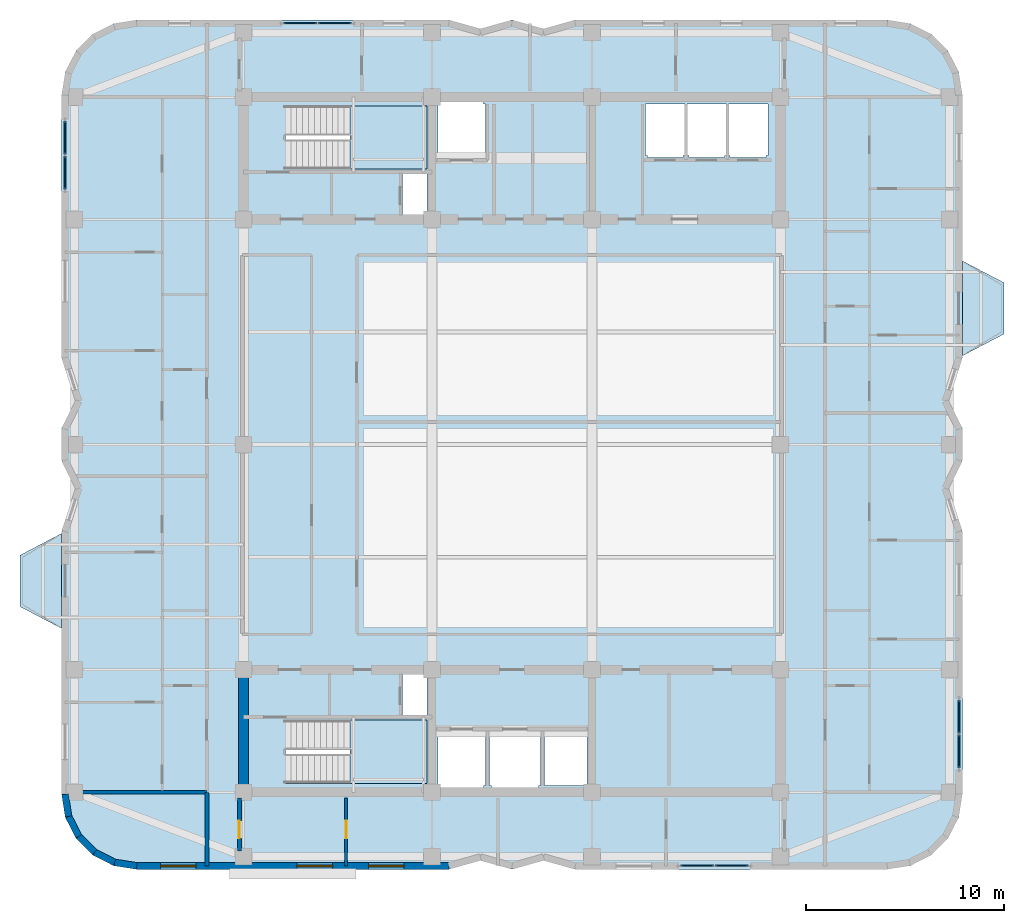
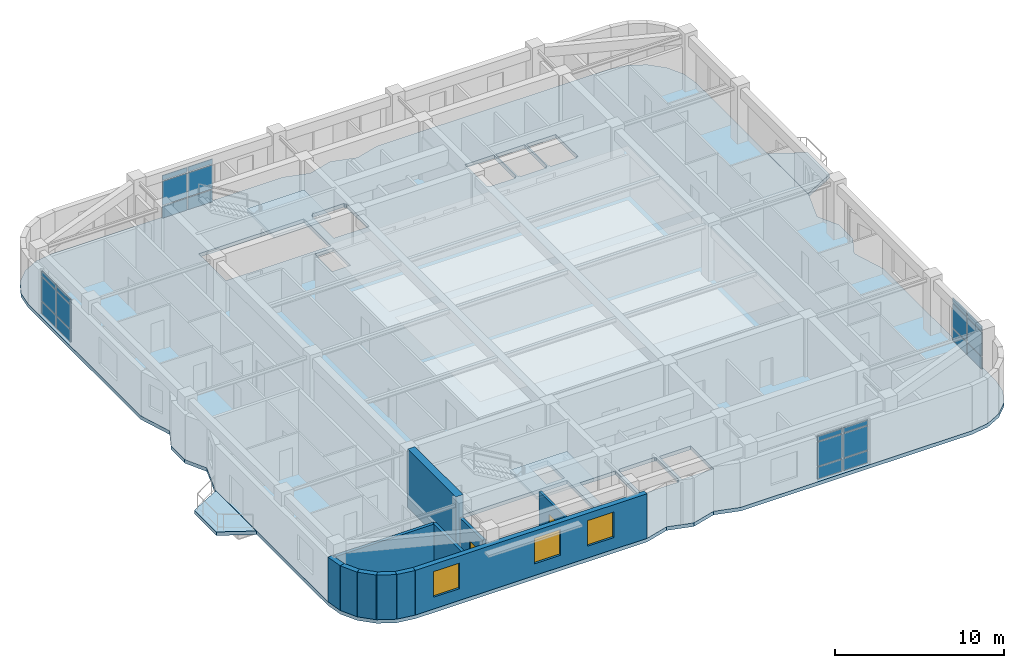
# One storey, part 4 of 11: 24 plates, 11 walls, 5 slabs, 3 windows, 2 doors, 5 openings, 6 elements without a shape of their own.
"""IFC4 building model written with IfcOpenShell, lengths in metres."""

from ifc_helpers import new_model, si_unit, direction, frame, frame_2d, origin, origin_2d, place, context, subcontext, project, spatial, polyline, rectangle, outline, extrude, material, layer, layer_set, type_object, element, fill, aggregate, save


model = new_model("IFC4")

# Units and contexts
model_context = context("Model", 3, precision=1e-05, world=origin(), true_north=direction((0.0, 1.0)))
body_context = subcontext(model_context, "Body", "Model", "MODEL_VIEW")
ifc_project = project(units=[si_unit("LENGTHUNIT", "METRE"), si_unit("AREAUNIT", "SQUARE_METRE"), si_unit("VOLUMEUNIT", "CUBIC_METRE"), si_unit("PLANEANGLEUNIT", "RADIAN"), si_unit("MASSUNIT", "GRAM", prefix="KILO")], contexts=[model_context])

# Site, building, storey
site_placement = place(None, origin())
site = spatial("IfcSite", under=ifc_project, at=site_placement, CompositionType="ELEMENT")
building_placement = place(site_placement, origin())
building = spatial("IfcBuilding", under=site, at=building_placement, Name="Svetorya Sky Lyceum", CompositionType="ELEMENT")
storey_placement = place(building_placement, frame((0.0, 0.0, 203.10009765625)))
storey = spatial("IfcBuildingStorey", under=building, at=storey_placement, Name="L50", CompositionType="ELEMENT", Elevation=203.10009765625)

# Curtain wall, plates
ifc_material_1 = material(Name="Thermally broken anodized aluminium and triple low-E glass", Category="aluminium")
curtain_wall_type = type_object("IfcCurtainWallType", Name="CW4-SKY-GALL", PredefinedType="NOTDEFINED", material=ifc_material_1)
curtain_wall_1_placement = place(storey_placement, origin())
curtain_wall_1 = element("IfcCurtainWall", 1, at=curtain_wall_1_placement, inside=storey, type_object=curtain_wall_type, Name="L50 Sky-Lobby Panorama Curtain Wall 11", PredefinedType="NOTDEFINED")
ifc_material_2 = material(Name="Acoustic laminated observatory triple glass", Category="glass")
ifc_layer_1 = layer(ifc_material_2, 0.055908203125)
ifc_layer_set_1 = layer_set([ifc_layer_1], Name="Acoustic laminated observatory triple glass")
plate_type = type_object("IfcPlateType", Name="CWP-GLZ-56", PredefinedType="CURTAIN_PANEL", material=ifc_layer_set_1)
plate_1_placement = place(storey_placement, frame((48.5712890625, 6.8701171875, 0.073486328125), z_axis=(0.0, 0.0, 1.0), x_axis=(1.0, 0.0, 0.0)))
plate_1 = element("IfcPlate", 2, at=plate_1_placement, type_object=plate_type, Name="CW-4 panel 1.1", PredefinedType="CURTAIN_PANEL", context=body_context, shape_type="SweptSolid", body=[
    extrude(rectangle(XDim=1.675537109375, YDim=0.055908203125, at=origin_2d()), origin(), (0.0, 0.0, 1.0), 0.8564453125),
])
plate_2_placement = place(storey_placement, frame((48.5712890625, 6.8701171875, 1.001953125), z_axis=(0.0, 0.0, 1.0), x_axis=(1.0, 0.0, 0.0)))
plate_2 = element("IfcPlate", 3, at=plate_2_placement, type_object=plate_type, Name="CW-4 panel 1.2", PredefinedType="CURTAIN_PANEL", context=body_context, shape_type="SweptSolid", body=[
    extrude(rectangle(XDim=1.675537109375, YDim=0.055908203125, at=origin_2d()), origin(), (0.0, 0.0, 1.0), 1.73193359375),
])
plate_3_placement = place(storey_placement, frame((48.5712890625, 6.8701171875, 2.8056640625), z_axis=(0.0, 0.0, 1.0), x_axis=(1.0, 0.0, 0.0)))
plate_3 = element("IfcPlate", 4, at=plate_3_placement, type_object=plate_type, Name="CW-4 panel 1.3", PredefinedType="CURTAIN_PANEL", context=body_context, shape_type="SweptSolid", body=[
    extrude(rectangle(XDim=1.675537109375, YDim=0.055908203125, at=origin_2d()), origin(), (0.0, 0.0, 1.0), 0.340576171875),
])
plate_4_placement = place(storey_placement, frame((50.328857421875, 6.8701171875, 0.073486328125), z_axis=(0.0, 0.0, 1.0), x_axis=(1.0, 0.0, 0.0)))
plate_4 = element("IfcPlate", 5, at=plate_4_placement, type_object=plate_type, Name="CW-4 panel 2.1", PredefinedType="CURTAIN_PANEL", context=body_context, shape_type="SweptSolid", body=[
    extrude(rectangle(XDim=1.675537109375, YDim=0.055908203125, at=origin_2d()), origin(), (0.0, 0.0, 1.0), 0.8564453125),
])
plate_5_placement = place(storey_placement, frame((50.328857421875, 6.8701171875, 1.001953125), z_axis=(0.0, 0.0, 1.0), x_axis=(1.0, 0.0, 0.0)))
plate_5 = element("IfcPlate", 6, at=plate_5_placement, type_object=plate_type, Name="CW-4 panel 2.2", PredefinedType="CURTAIN_PANEL", context=body_context, shape_type="SweptSolid", body=[
    extrude(rectangle(XDim=1.675537109375, YDim=0.055908203125, at=origin_2d()), origin(), (0.0, 0.0, 1.0), 1.73193359375),
])
plate_6_placement = place(storey_placement, frame((50.328857421875, 6.8701171875, 2.8056640625), z_axis=(0.0, 0.0, 1.0), x_axis=(1.0, 0.0, 0.0)))
plate_6 = element("IfcPlate", 7, at=plate_6_placement, type_object=plate_type, Name="CW-4 panel 2.3", PredefinedType="CURTAIN_PANEL", context=body_context, shape_type="SweptSolid", body=[
    extrude(rectangle(XDim=1.675537109375, YDim=0.055908203125, at=origin_2d()), origin(), (0.0, 0.0, 1.0), 0.340576171875),
])
aggregate(curtain_wall_1, [plate_1, plate_2, plate_3, plate_4, plate_5, plate_6])

curtain_wall_2_placement = place(storey_placement, origin())
curtain_wall_2 = element("IfcCurtainWall", 8, at=curtain_wall_2_placement, inside=storey, type_object=curtain_wall_type, Name="L50 Sky-Lobby Panorama Curtain Wall 17", PredefinedType="NOTDEFINED")
plate_7_placement = place(storey_placement, frame((61.830078125, 12.671142578125, 0.073486328125), z_axis=(0.0, 0.0, 1.0), x_axis=(0.0, 1.0, 0.0)))
plate_7 = element("IfcPlate", 9, at=plate_7_placement, type_object=plate_type, Name="CW-4 panel 1.1", PredefinedType="CURTAIN_PANEL", context=body_context, shape_type="SweptSolid", body=[
    extrude(rectangle(XDim=1.675537109375, YDim=0.055908203125, at=origin_2d()), origin(), (0.0, 0.0, 1.0), 0.8564453125),
])
plate_8_placement = place(storey_placement, frame((61.830078125, 12.671142578125, 1.001953125), z_axis=(0.0, 0.0, 1.0), x_axis=(0.0, 1.0, 0.0)))
plate_8 = element("IfcPlate", 10, at=plate_8_placement, type_object=plate_type, Name="CW-4 panel 1.2", PredefinedType="CURTAIN_PANEL", context=body_context, shape_type="SweptSolid", body=[
    extrude(rectangle(XDim=1.675537109375, YDim=0.055908203125, at=origin_2d()), origin(), (0.0, 0.0, 1.0), 1.73193359375),
])
plate_9_placement = place(storey_placement, frame((61.830078125, 12.671142578125, 2.8056640625), z_axis=(0.0, 0.0, 1.0), x_axis=(0.0, 1.0, 0.0)))
plate_9 = element("IfcPlate", 11, at=plate_9_placement, type_object=plate_type, Name="CW-4 panel 1.3", PredefinedType="CURTAIN_PANEL", context=body_context, shape_type="SweptSolid", body=[
    extrude(rectangle(XDim=1.675537109375, YDim=0.055908203125, at=origin_2d()), origin(), (0.0, 0.0, 1.0), 0.340576171875),
])
plate_10_placement = place(storey_placement, frame((61.830078125, 14.4287109375, 0.073486328125), z_axis=(0.0, 0.0, 1.0), x_axis=(0.0, 1.0, 0.0)))
plate_10 = element("IfcPlate", 12, at=plate_10_placement, type_object=plate_type, Name="CW-4 panel 2.1", PredefinedType="CURTAIN_PANEL", context=body_context, shape_type="SweptSolid", body=[
    extrude(rectangle(XDim=1.675537109375, YDim=0.055908203125, at=origin_2d()), origin(), (0.0, 0.0, 1.0), 0.8564453125),
])
plate_11_placement = place(storey_placement, frame((61.830078125, 14.4287109375, 1.001953125), z_axis=(0.0, 0.0, 1.0), x_axis=(0.0, 1.0, 0.0)))
plate_11 = element("IfcPlate", 13, at=plate_11_placement, type_object=plate_type, Name="CW-4 panel 2.2", PredefinedType="CURTAIN_PANEL", context=body_context, shape_type="SweptSolid", body=[
    extrude(rectangle(XDim=1.675537109375, YDim=0.055908203125, at=origin_2d()), origin(), (0.0, 0.0, 1.0), 1.73193359375),
])
plate_12_placement = place(storey_placement, frame((61.830078125, 14.4287109375, 2.8056640625), z_axis=(0.0, 0.0, 1.0), x_axis=(0.0, 1.0, 0.0)))
plate_12 = element("IfcPlate", 14, at=plate_12_placement, type_object=plate_type, Name="CW-4 panel 2.3", PredefinedType="CURTAIN_PANEL", context=body_context, shape_type="SweptSolid", body=[
    extrude(rectangle(XDim=1.675537109375, YDim=0.055908203125, at=origin_2d()), origin(), (0.0, 0.0, 1.0), 0.340576171875),
])
aggregate(curtain_wall_2, [plate_7, plate_8, plate_9, plate_10, plate_11, plate_12])

curtain_wall_3_placement = place(storey_placement, origin())
curtain_wall_3 = element("IfcCurtainWall", 15, at=curtain_wall_3_placement, inside=storey, type_object=curtain_wall_type, Name="L50 Sky-Lobby Panorama Curtain Wall 34", PredefinedType="NOTDEFINED")
plate_13_placement = place(storey_placement, frame((30.228759765625, 49.530029296875, 0.073486328125), z_axis=(0.0, 0.0, 1.0), x_axis=(-1.0, 0.0, 0.0)))
plate_13 = element("IfcPlate", 16, at=plate_13_placement, type_object=plate_type, Name="CW-4 panel 1.1", PredefinedType="CURTAIN_PANEL", context=body_context, shape_type="SweptSolid", body=[
    extrude(rectangle(XDim=1.675537109375, YDim=0.055908203125, at=origin_2d()), origin(), (0.0, 0.0, 1.0), 0.8564453125),
])
plate_14_placement = place(storey_placement, frame((30.228759765625, 49.530029296875, 1.001953125), z_axis=(0.0, 0.0, 1.0), x_axis=(-1.0, 0.0, 0.0)))
plate_14 = element("IfcPlate", 17, at=plate_14_placement, type_object=plate_type, Name="CW-4 panel 1.2", PredefinedType="CURTAIN_PANEL", context=body_context, shape_type="SweptSolid", body=[
    extrude(rectangle(XDim=1.675537109375, YDim=0.055908203125, at=origin_2d()), origin(), (0.0, 0.0, 1.0), 1.73193359375),
])
plate_15_placement = place(storey_placement, frame((30.228759765625, 49.530029296875, 2.8056640625), z_axis=(0.0, 0.0, 1.0), x_axis=(-1.0, 0.0, 0.0)))
plate_15 = element("IfcPlate", 18, at=plate_15_placement, type_object=plate_type, Name="CW-4 panel 1.3", PredefinedType="CURTAIN_PANEL", context=body_context, shape_type="SweptSolid", body=[
    extrude(rectangle(XDim=1.675537109375, YDim=0.055908203125, at=origin_2d()), origin(), (0.0, 0.0, 1.0), 0.340576171875),
])
plate_16_placement = place(storey_placement, frame((28.47119140625, 49.530029296875, 0.073486328125), z_axis=(0.0, 0.0, 1.0), x_axis=(-1.0, 0.0, 0.0)))
plate_16 = element("IfcPlate", 19, at=plate_16_placement, type_object=plate_type, Name="CW-4 panel 2.1", PredefinedType="CURTAIN_PANEL", context=body_context, shape_type="SweptSolid", body=[
    extrude(rectangle(XDim=1.675537109375, YDim=0.055908203125, at=origin_2d()), origin(), (0.0, 0.0, 1.0), 0.8564453125),
])
plate_17_placement = place(storey_placement, frame((28.47119140625, 49.530029296875, 1.001953125), z_axis=(0.0, 0.0, 1.0), x_axis=(-1.0, 0.0, 0.0)))
plate_17 = element("IfcPlate", 20, at=plate_17_placement, type_object=plate_type, Name="CW-4 panel 2.2", PredefinedType="CURTAIN_PANEL", context=body_context, shape_type="SweptSolid", body=[
    extrude(rectangle(XDim=1.675537109375, YDim=0.055908203125, at=origin_2d()), origin(), (0.0, 0.0, 1.0), 1.73193359375),
])
plate_18_placement = place(storey_placement, frame((28.47119140625, 49.530029296875, 2.8056640625), z_axis=(0.0, 0.0, 1.0), x_axis=(-1.0, 0.0, 0.0)))
plate_18 = element("IfcPlate", 21, at=plate_18_placement, type_object=plate_type, Name="CW-4 panel 2.3", PredefinedType="CURTAIN_PANEL", context=body_context, shape_type="SweptSolid", body=[
    extrude(rectangle(XDim=1.675537109375, YDim=0.055908203125, at=origin_2d()), origin(), (0.0, 0.0, 1.0), 0.340576171875),
])
aggregate(curtain_wall_3, [plate_13, plate_14, plate_15, plate_16, plate_17, plate_18])

curtain_wall_4_placement = place(storey_placement, origin())
curtain_wall_4 = element("IfcCurtainWall", 22, at=curtain_wall_4_placement, inside=storey, type_object=curtain_wall_type, Name="L50 Sky-Lobby Panorama Curtain Wall 40", PredefinedType="NOTDEFINED")
plate_19_placement = place(storey_placement, frame((16.570068359375, 43.728759765625, 0.073486328125), z_axis=(0.0, 0.0, 1.0), x_axis=(0.0, -1.0, 0.0)))
plate_19 = element("IfcPlate", 23, at=plate_19_placement, type_object=plate_type, Name="CW-4 panel 1.1", PredefinedType="CURTAIN_PANEL", context=body_context, shape_type="SweptSolid", body=[
    extrude(rectangle(XDim=1.675537109375, YDim=0.055908203125, at=origin_2d()), origin(), (0.0, 0.0, 1.0), 0.8564453125),
])
plate_20_placement = place(storey_placement, frame((16.570068359375, 43.728759765625, 1.001953125), z_axis=(0.0, 0.0, 1.0), x_axis=(0.0, -1.0, 0.0)))
plate_20 = element("IfcPlate", 24, at=plate_20_placement, type_object=plate_type, Name="CW-4 panel 1.2", PredefinedType="CURTAIN_PANEL", context=body_context, shape_type="SweptSolid", body=[
    extrude(rectangle(XDim=1.675537109375, YDim=0.055908203125, at=origin_2d()), origin(), (0.0, 0.0, 1.0), 1.73193359375),
])
plate_21_placement = place(storey_placement, frame((16.570068359375, 43.728759765625, 2.8056640625), z_axis=(0.0, 0.0, 1.0), x_axis=(0.0, -1.0, 0.0)))
plate_21 = element("IfcPlate", 25, at=plate_21_placement, type_object=plate_type, Name="CW-4 panel 1.3", PredefinedType="CURTAIN_PANEL", context=body_context, shape_type="SweptSolid", body=[
    extrude(rectangle(XDim=1.675537109375, YDim=0.055908203125, at=origin_2d()), origin(), (0.0, 0.0, 1.0), 0.340576171875),
])
plate_22_placement = place(storey_placement, frame((16.570068359375, 41.97119140625, 0.073486328125), z_axis=(0.0, 0.0, 1.0), x_axis=(0.0, -1.0, 0.0)))
plate_22 = element("IfcPlate", 26, at=plate_22_placement, type_object=plate_type, Name="CW-4 panel 2.1", PredefinedType="CURTAIN_PANEL", context=body_context, shape_type="SweptSolid", body=[
    extrude(rectangle(XDim=1.675537109375, YDim=0.055908203125, at=origin_2d()), origin(), (0.0, 0.0, 1.0), 0.8564453125),
])
plate_23_placement = place(storey_placement, frame((16.570068359375, 41.97119140625, 1.001953125), z_axis=(0.0, 0.0, 1.0), x_axis=(0.0, -1.0, 0.0)))
plate_23 = element("IfcPlate", 27, at=plate_23_placement, type_object=plate_type, Name="CW-4 panel 2.2", PredefinedType="CURTAIN_PANEL", context=body_context, shape_type="SweptSolid", body=[
    extrude(rectangle(XDim=1.675537109375, YDim=0.055908203125, at=origin_2d()), origin(), (0.0, 0.0, 1.0), 1.73193359375),
])
plate_24_placement = place(storey_placement, frame((16.570068359375, 41.97119140625, 2.8056640625), z_axis=(0.0, 0.0, 1.0), x_axis=(0.0, -1.0, 0.0)))
plate_24 = element("IfcPlate", 28, at=plate_24_placement, type_object=plate_type, Name="CW-4 panel 2.3", PredefinedType="CURTAIN_PANEL", context=body_context, shape_type="SweptSolid", body=[
    extrude(rectangle(XDim=1.675537109375, YDim=0.055908203125, at=origin_2d()), origin(), (0.0, 0.0, 1.0), 0.340576171875),
])
aggregate(curtain_wall_4, [plate_19, plate_20, plate_21, plate_22, plate_23, plate_24])

# Slabs
ifc_material_3 = material(Name="Concrete C40/50", Category="concrete")
ifc_layer_2 = layer(ifc_material_3, 0.260009765625)
ifc_layer_set_2 = layer_set([ifc_layer_2], Name="Concrete C40/50")
slab_type_1 = type_object("IfcSlabType", Name="SL-BAL-260", PredefinedType="FLOOR", material=ifc_layer_set_2)
slab_1_placement = place(storey_placement, frame((0.0, 0.0, -0.260009765625)))
element("IfcSlab", 29, at=slab_1_placement, inside=storey, type_object=slab_type_1, Name="L50 Chamfered Loggia Balcony BAL-W1", PredefinedType="FLOOR", context=body_context, shape_type="SweptSolid", body=[
    extrude(outline(polyline([(16.389892578125, 18.89990234375), (16.389892578125, 23.699951171875), (14.2900390625, 22.60009765625), (14.2900390625, 20.0), (16.389892578125, 18.89990234375)])), origin(), (0.0, 0.0, 1.0), 0.260009765625),
])
slab_2_placement = place(storey_placement, frame((0.0, 0.0, -0.260009765625)))
element("IfcSlab", 30, at=slab_2_placement, inside=storey, type_object=slab_type_1, Name="L50 Chamfered Loggia Balcony BAL-E1", PredefinedType="FLOOR", context=body_context, shape_type="SweptSolid", body=[
    extrude(outline(polyline([(62.010009765625, 32.699951171875), (64.110107421875, 33.800048828125), (64.110107421875, 36.39990234375), (62.010009765625, 37.5), (62.010009765625, 32.699951171875)])), origin(), (0.0, 0.0, 1.0), 0.260009765625),
])

# Stair, slab
stair_type_1 = type_object("IfcStairType", Name="STR-ST-S", PredefinedType="HALF_TURN_STAIR", material=ifc_material_3)
stair_1_placement = place(storey_placement, origin())
stair_1 = element("IfcStair", 31, at=stair_1_placement, inside=storey, type_object=stair_type_1, Name="L50 South Core Smoke-Free Exit Stair N2", PredefinedType="HALF_TURN_STAIR")
ifc_layer_3 = layer(ifc_material_3, 0.199951171875)
ifc_layer_set_3 = layer_set([ifc_layer_3], Name="Concrete C40/50")
slab_type_2 = type_object("IfcSlabType", Name="SL-STR-LAND-200", PredefinedType="LANDING", material=ifc_layer_set_3)
slab_3_placement = place(storey_placement, frame((0.0, 0.0, 1.89990234375)))
slab_3 = element("IfcSlab", 32, at=slab_3_placement, type_object=slab_type_2, Name="ST-S landing 1", PredefinedType="LANDING", context=body_context, shape_type="SweptSolid", body=[
    extrude(outline(polyline([(31.0, 11.050048828125), (34.89990234375, 11.050048828125), (34.89990234375, 14.25), (31.0, 14.25), (31.0, 11.050048828125)])), origin(), (0.0, 0.0, 1.0), 0.199951171875),
])
aggregate(stair_1, [slab_3])

stair_type_2 = type_object("IfcStairType", Name="STR-ST-N", PredefinedType="HALF_TURN_STAIR", material=ifc_material_3)
stair_2_placement = place(storey_placement, origin())
stair_2 = element("IfcStair", 33, at=stair_2_placement, inside=storey, type_object=stair_type_2, Name="L50 North Core Smoke-Free Exit Stair N3", PredefinedType="HALF_TURN_STAIR")
slab_4_placement = place(storey_placement, frame((0.0, 0.0, 1.89990234375)))
slab_4 = element("IfcSlab", 34, at=slab_4_placement, type_object=slab_type_2, Name="ST-N landing 1", PredefinedType="LANDING", context=body_context, shape_type="SweptSolid", body=[
    extrude(outline(polyline([(31.0, 42.14990234375), (34.89990234375, 42.14990234375), (34.89990234375, 45.35009765625), (31.0, 45.35009765625), (31.0, 42.14990234375)])), origin(), (0.0, 0.0, 1.0), 0.199951171875),
])
aggregate(stair_2, [slab_4])

# Slab
ifc_material_4 = material(Name="Concrete C50/60", Category="concrete")
ifc_layer_4 = layer(ifc_material_4, 0.260009765625)
ifc_layer_set_4 = layer_set([ifc_layer_4], Name="Concrete C50/60")
slab_type_3 = type_object("IfcSlabType", Name="SL-TWR-260", PredefinedType="FLOOR", material=ifc_layer_set_4)
slab_5_placement = place(storey_placement, frame((0.0, 0.0, -0.260009765625)))
element("IfcSlab", 35, at=slab_5_placement, inside=storey, type_object=slab_type_3, Name="L50 Structural Floor Slab", PredefinedType="FLOOR", context=body_context, shape_type="SweptSolid", body=[
    extrude(outline(polyline([(16.39990234375, 10.5), (16.5859375, 9.32568359375), (17.125732421875, 8.266357421875), (17.96630859375, 7.42578125), (19.025634765625, 6.885986328125), (20.199951171875, 6.699951171875), (36.0, 6.699951171875), (37.60009765625, 7.14990234375), (39.199951171875, 6.699951171875), (40.800048828125, 7.14990234375), (42.39990234375, 6.699951171875), (58.199951171875, 6.699951171875), (59.374267578125, 6.885986328125), (60.43359375, 7.42578125), (61.2744140625, 8.266357421875), (61.81396484375, 9.32568359375), (62.0, 10.5), (62.0, 23.800048828125), (61.300048828125, 26.0), (62.0, 27.39990234375), (62.0, 29.0), (61.300048828125, 30.39990234375), (62.0, 32.60009765625), (62.0, 45.89990234375), (61.81396484375, 47.07421875), (61.2744140625, 48.133544921875), (60.43359375, 48.974365234375), (59.374267578125, 49.513916015625), (58.199951171875, 49.699951171875), (42.39990234375, 49.699951171875), (40.800048828125, 49.25), (39.199951171875, 49.699951171875), (37.60009765625, 49.25), (36.0, 49.699951171875), (20.199951171875, 49.699951171875), (19.025634765625, 49.513916015625), (17.96630859375, 48.974365234375), (17.125732421875, 48.133544921875), (16.5859375, 47.07421875), (16.39990234375, 45.89990234375), (16.39990234375, 32.60009765625), (17.10009765625, 30.39990234375), (16.39990234375, 29.0), (16.39990234375, 27.39990234375), (17.10009765625, 26.0), (16.39990234375, 23.800048828125), (16.39990234375, 10.5)]), holes=[polyline([(37.85009765625, 10.949951171875), (37.75, 10.949951171875), (37.75, 10.85009765625), (35.550048828125, 10.85009765625), (35.550048828125, 10.949951171875), (35.449951171875, 10.949951171875), (35.449951171875, 13.64990234375), (35.550048828125, 13.64990234375), (37.75, 13.64990234375), (37.85009765625, 13.64990234375), (37.85009765625, 10.949951171875)]), polyline([(38.14990234375, 10.800048828125), (38.14990234375, 10.949951171875), (38.050048828125, 10.949951171875), (38.050048828125, 13.64990234375), (38.14990234375, 13.64990234375), (38.14990234375, 13.699951171875), (40.550048828125, 13.699951171875), (40.550048828125, 13.64990234375), (40.64990234375, 13.64990234375), (40.64990234375, 10.949951171875), (40.550048828125, 10.949951171875), (40.550048828125, 10.800048828125), (38.14990234375, 10.800048828125)]), polyline([(27.719970703125, 11.050048828125), (27.719970703125, 14.25), (34.89990234375, 14.25), (34.89990234375, 11.050048828125), (27.719970703125, 11.050048828125)]), polyline([(33.64990234375, 14.52001953125), (33.64990234375, 16.580078125), (34.89990234375, 16.580078125), (34.89990234375, 14.52001953125), (33.64990234375, 14.52001953125)]), polyline([(33.64990234375, 39.820068359375), (33.64990234375, 41.89990234375), (34.89990234375, 41.89990234375), (34.89990234375, 39.820068359375), (33.64990234375, 39.820068359375)]), polyline([(27.719970703125, 42.14990234375), (27.719970703125, 45.35009765625), (34.89990234375, 45.35009765625), (34.89990234375, 42.14990234375), (27.719970703125, 42.14990234375)]), polyline([(37.75, 42.75), (35.550048828125, 42.75), (35.449951171875, 42.75), (35.449951171875, 45.449951171875), (35.550048828125, 45.449951171875), (35.550048828125, 45.550048828125), (37.75, 45.550048828125), (37.75, 45.449951171875), (37.85009765625, 45.449951171875), (37.85009765625, 42.75), (37.75, 42.75)]), polyline([(40.85009765625, 10.949951171875), (40.85009765625, 13.64990234375), (43.0, 13.64990234375), (43.0, 10.949951171875), (40.85009765625, 10.949951171875)]), polyline([(46.050048828125, 42.75), (46.050048828125, 42.85009765625), (45.949951171875, 42.85009765625), (45.949951171875, 45.449951171875), (46.050048828125, 45.449951171875), (47.85009765625, 45.449951171875), (47.949951171875, 45.449951171875), (47.949951171875, 42.85009765625), (47.85009765625, 42.85009765625), (47.85009765625, 42.75), (46.050048828125, 42.75)]), polyline([(50.050048828125, 42.85009765625), (49.949951171875, 42.85009765625), (49.949951171875, 42.75), (48.14990234375, 42.75), (48.14990234375, 42.85009765625), (48.050048828125, 42.85009765625), (48.050048828125, 45.449951171875), (48.14990234375, 45.449951171875), (49.949951171875, 45.449951171875), (50.050048828125, 45.449951171875), (50.050048828125, 42.85009765625)]), polyline([(52.14990234375, 42.85009765625), (52.050048828125, 42.85009765625), (52.050048828125, 42.75), (50.25, 42.75), (50.25, 42.85009765625), (50.14990234375, 42.85009765625), (50.14990234375, 45.449951171875), (50.25, 45.449951171875), (52.050048828125, 45.449951171875), (52.14990234375, 45.449951171875), (52.14990234375, 42.85009765625)])]), origin(), (0.0, 0.0, 1.0), 0.260009765625),
])

# Walls
ifc_layer_5 = layer(ifc_material_4, 0.5)
ifc_layer_set_5 = layer_set([ifc_layer_5], Name="Concrete C50/60")
wall_type_1 = type_object("IfcWallType", Name="WL-CORE-500", PredefinedType="SHEAR", material=ifc_layer_set_5)
wall_1_placement = place(storey_placement, frame((25.60009765625, 10.85009765625, 0.0), z_axis=(0.0, 0.0, 1.0), x_axis=(0.0, 1.0, 0.0)))
element("IfcWall", 36, at=wall_1_placement, inside=storey, type_object=wall_type_1, Name="L50 SC West Core Shear Wall", PredefinedType="SHEAR", context=body_context, shape_type="SweptSolid", body=[
    extrude(rectangle(XDim=5.699951171875, YDim=0.5, at=frame_2d((2.85009765625, 0.0))), origin(), (0.0, 0.0, 1.0), 4.199951171875),
])
ifc_material_5 = material(Name="Putilovo limestone rainscreen on autoclaved cellular masonry", Category="masonry")
ifc_layer_6 = layer(ifc_material_5, 0.340087890625)
ifc_layer_set_6 = layer_set([ifc_layer_6], Name="Putilovo limestone rainscreen on autoclaved cellular masonry")
wall_type_2 = type_object("IfcWallType", Name="WL-EXT-340", PredefinedType="SOLIDWALL", material=ifc_layer_set_6)
wall_2_placement = place(storey_placement, frame((16.570068359375, 10.5, 0.0), z_axis=(0.0, 0.0, 1.0), x_axis=(0.156514556949, -0.987675651954, 0.0)))
element("IfcWall", 37, at=wall_2_placement, inside=storey, type_object=wall_type_2, Name="L50 Limestone Exterior Wall 1M", PredefinedType="SOLIDWALL", context=body_context, shape_type="SweptSolid", body=[
    extrude(rectangle(XDim=1.135498046875, YDim=0.340087890625, at=frame_2d((0.56787109375, 0.0))), origin(), (0.0, 0.0, 1.0), 3.219970703125),
])
for number, where, z_axis, x_axis, name in (
    (38, (16.747802734375, 9.37841796875, 0.0), (0.0, 0.0, 1.0), (0.45373580117, -0.891136253744, 0.0), "L50 Limestone Exterior Wall 2M"),
    (39, (17.26318359375, 8.3662109375, 0.0), (0.0, 0.0, 1.0), (0.707214252388, -0.706999293649, 0.0), "L50 Limestone Exterior Wall 3M"),
    (40, (18.06640625, 7.563232421875, 0.0), (0.0, 0.0, 1.0), (0.891005044957, -0.453993402883, 0.0), "L50 Limestone Exterior Wall 4M"),
):
    element("IfcWall", number, at=place(storey_placement, frame(where, z_axis=z_axis, x_axis=x_axis)), inside=storey, type_object=wall_type_2, Name=name, PredefinedType="SOLIDWALL", context=body_context, shape_type="SweptSolid", body=[
        extrude(rectangle(XDim=1.1357421875, YDim=0.340087890625, at=frame_2d((0.56787109375, 0.0))), origin(), (0.0, 0.0, 1.0), 3.219970703125),
    ])
wall_3_placement = place(storey_placement, frame((19.078369140625, 7.047607421875, 0.0), z_axis=(0.0, 0.0, 1.0), x_axis=(0.987708865555, -0.156304820474, 0.0)))
element("IfcWall", 41, at=wall_3_placement, inside=storey, type_object=wall_type_2, Name="L50 Limestone Exterior Wall 5M", PredefinedType="SOLIDWALL", context=body_context, shape_type="SweptSolid", body=[
    extrude(rectangle(XDim=1.135498046875, YDim=0.340087890625, at=frame_2d((0.56787109375, 0.0))), origin(), (0.0, 0.0, 1.0), 3.219970703125),
])

# Wall, openings, windows
wall_4_placement = place(storey_placement, frame((20.199951171875, 6.8701171875, 0.0), z_axis=(0.0, 0.0, 1.0), x_axis=(1.0, 0.0, 0.0)))
wall_4 = element("IfcWall", 42, at=wall_4_placement, inside=storey, type_object=wall_type_2, Name="L50 Limestone Exterior Wall 6M", PredefinedType="SOLIDWALL", context=body_context, shape_type="SweptSolid", body=[
    extrude(rectangle(XDim=15.800048828125, YDim=0.340087890625, at=frame_2d((7.89990234375, 0.0))), origin(), (0.0, 0.0, 1.0), 3.219970703125),
])
opening_1_placement = place(wall_4_placement, frame((1.21240234375, 0.0, 0.85009765625)))
opening_1 = element("IfcOpeningElement", 43, at=opening_1_placement, cuts=wall_4, Name="Opening W-R1", PredefinedType="OPENING", context=body_context, shape_type="SweptSolid", body=[
    extrude(rectangle(XDim=1.800048828125, YDim=1.85009765625, at=frame_2d((0.89990234375, 0.925048828125))), frame((0.0, 0.179931640625, 0.0), z_axis=(0.0, -1.0, 0.0), x_axis=(1.0, 0.0, 0.0)), (0.0, 0.0, 1.0), 0.360107421875),
])
opening_2_placement = place(wall_4_placement, frame((8.112548828125, 0.0, 0.85009765625)))
opening_2 = element("IfcOpeningElement", 44, at=opening_2_placement, cuts=wall_4, Name="Opening W-R1", PredefinedType="OPENING", context=body_context, shape_type="SweptSolid", body=[
    extrude(rectangle(XDim=1.800048828125, YDim=1.85009765625, at=frame_2d((0.89990234375, 0.925048828125))), frame((0.0, 0.179931640625, 0.0), z_axis=(0.0, -1.0, 0.0), x_axis=(1.0, 0.0, 0.0)), (0.0, 0.0, 1.0), 0.360107421875),
])
opening_3_placement = place(wall_4_placement, frame((11.737548828125, 0.0, 0.85009765625)))
opening_3 = element("IfcOpeningElement", 45, at=opening_3_placement, cuts=wall_4, Name="Opening W-R1", PredefinedType="OPENING", context=body_context, shape_type="SweptSolid", body=[
    extrude(rectangle(XDim=1.800048828125, YDim=1.85009765625, at=frame_2d((0.89990234375, 0.925048828125))), frame((0.0, 0.179931640625, 0.0), z_axis=(0.0, -1.0, 0.0), x_axis=(1.0, 0.0, 0.0)), (0.0, 0.0, 1.0), 0.360107421875),
])
ifc_material_6 = material(Name="Thermally broken aluminium frame with triple low-E glazing", Category="aluminium")
window_type = type_object("IfcWindowType", Name="WN-RES-180", PartitioningType="DOUBLE_PANEL_VERTICAL", PredefinedType="WINDOW", material=ifc_material_6)
window_1_placement = place(opening_1_placement, origin())
window_1 = element("IfcWindow", 46, at=window_1_placement, inside=storey, type_object=window_type, Name="L50 Facade Window W-R1.6M.1", OverallHeight=1.85009765625, OverallWidth=1.800048828125, PartitioningType="SINGLE_PANEL", PredefinedType="WINDOW", context=body_context, shape_type="SweptSolid", body=[
    extrude(rectangle(XDim=1.800048828125, YDim=1.85009765625, at=frame_2d((0.89990234375, 0.925048828125))), frame((0.0, 0.030029296875, 0.0), z_axis=(0.0, -1.0, 0.0), x_axis=(1.0, 0.0, 0.0)), (0.0, 0.0, 1.0), 0.06005859375),
])
fill(opening_1, window_1)
window_2_placement = place(opening_2_placement, origin())
window_2 = element("IfcWindow", 47, at=window_2_placement, inside=storey, type_object=window_type, Name="L50 Facade Window W-R1.6M.2", OverallHeight=1.85009765625, OverallWidth=1.800048828125, PartitioningType="SINGLE_PANEL", PredefinedType="WINDOW", context=body_context, shape_type="SweptSolid", body=[
    extrude(rectangle(XDim=1.800048828125, YDim=1.85009765625, at=frame_2d((0.89990234375, 0.925048828125))), frame((0.0, 0.030029296875, 0.0), z_axis=(0.0, -1.0, 0.0), x_axis=(1.0, 0.0, 0.0)), (0.0, 0.0, 1.0), 0.06005859375),
])
fill(opening_2, window_2)
window_3_placement = place(opening_3_placement, origin())
window_3 = element("IfcWindow", 48, at=window_3_placement, inside=storey, type_object=window_type, Name="L50 Facade Window W-R1.6M.3", OverallHeight=1.85009765625, OverallWidth=1.800048828125, PartitioningType="SINGLE_PANEL", PredefinedType="WINDOW", context=body_context, shape_type="SweptSolid", body=[
    extrude(rectangle(XDim=1.800048828125, YDim=1.85009765625, at=frame_2d((0.89990234375, 0.925048828125))), frame((0.0, 0.030029296875, 0.0), z_axis=(0.0, -1.0, 0.0), x_axis=(1.0, 0.0, 0.0)), (0.0, 0.0, 1.0), 0.06005859375),
])
fill(opening_3, window_3)

# Wall, opening, door
ifc_material_7 = material(Name="Autoclaved cellular masonry blockwork with acoustic render", Category="masonry")
ifc_layer_7 = layer(ifc_material_7, 0.14990234375)
ifc_layer_set_7 = layer_set([ifc_layer_7], Name="Autoclaved cellular masonry blockwork with acoustic render")
wall_type_3 = type_object("IfcWallType", Name="WL-PART-150", PredefinedType="PARTITIONING", material=ifc_layer_set_7)
wall_5_placement = place(storey_placement, frame((30.800048828125, 6.8701171875, 0.0), z_axis=(0.0, 0.0, 1.0), x_axis=(0.0, 1.0, 0.0)))
wall_5 = element("IfcWall", 49, at=wall_5_placement, inside=storey, type_object=wall_type_3, Name="L50 Interior Partition S4-D1", PredefinedType="PARTITIONING", context=body_context, shape_type="SweptSolid", body=[
    extrude(rectangle(XDim=3.429931640625, YDim=0.14990234375, at=frame_2d((1.71484375, 0.0))), origin(), (0.0, 0.0, 1.0), 3.0498046875),
])
opening_4_placement = place(wall_5_placement, frame((1.39990234375, 0.0, 0.0)))
opening_4 = element("IfcOpeningElement", 50, at=opening_4_placement, cuts=wall_5, Name="Opening D-RM1", PredefinedType="OPENING", context=body_context, shape_type="SweptSolid", body=[
    extrude(rectangle(XDim=0.89990234375, YDim=2.10009765625, at=frame_2d((0.449951171875, 1.050048828125))), frame((0.0, 0.0849609375, 0.0), z_axis=(0.0, -1.0, 0.0), x_axis=(1.0, 0.0, 0.0)), (0.0, 0.0, 1.0), 0.169921875),
])
ifc_material_8 = material(Name="Lacquered birch veneer internal door")
door_type = type_object("IfcDoorType", Name="DR-INT-900", OperationType="SINGLE_SWING_LEFT", PredefinedType="DOOR", material=ifc_material_8)
door_1_placement = place(opening_4_placement, origin())
door_1 = element("IfcDoor", 51, at=door_1_placement, inside=storey, type_object=door_type, Name="L50 South Suite Door 1", OperationType="SINGLE_SWING_LEFT", OverallHeight=2.10009765625, OverallWidth=0.89990234375, PredefinedType="DOOR", context=body_context, shape_type="SweptSolid", body=[
    extrude(rectangle(XDim=0.89990234375, YDim=2.10009765625, at=frame_2d((0.449951171875, 1.050048828125))), frame((0.0, 0.02490234375, 0.0), z_axis=(0.0, -1.0, 0.0), x_axis=(1.0, 0.0, 0.0)), (0.0, 0.0, 1.0), 0.050048828125),
])
fill(opening_4, door_1)

# Walls
ifc_material_9 = material(Name="Autoclaved cellular masonry blockwork with gypsum plaster", Category="masonry")
ifc_layer_8 = layer(ifc_material_9, 0.199951171875)
ifc_layer_set_8 = layer_set([ifc_layer_8], Name="Autoclaved cellular masonry blockwork with gypsum plaster")
wall_type_4 = type_object("IfcWallType", Name="WL-PART-200", PredefinedType="PARTITIONING", material=ifc_layer_set_8)
wall_6_placement = place(storey_placement, frame((16.989990234375, 10.60009765625, 0.0), z_axis=(0.0, 0.0, 1.0), x_axis=(1.0, 0.0, 0.0)))
element("IfcWall", 52, at=wall_6_placement, inside=storey, type_object=wall_type_4, Name="L50 Interior Partition W-CAP-S", PredefinedType="PARTITIONING", context=body_context, shape_type="SweptSolid", body=[
    extrude(rectangle(XDim=6.760009765625, YDim=0.199951171875, at=frame_2d((3.3798828125, 0.0))), origin(), (0.0, 0.0, 1.0), 3.0498046875),
])
wall_7_placement = place(storey_placement, frame((23.75, 6.8701171875, 0.0), z_axis=(0.0, 0.0, 1.0), x_axis=(0.0, 1.0, 0.0)))
element("IfcWall", 53, at=wall_7_placement, inside=storey, type_object=wall_type_4, Name="L50 Interior Partition WC-SW-END", PredefinedType="PARTITIONING", context=body_context, shape_type="SweptSolid", body=[
    extrude(rectangle(XDim=3.72998046875, YDim=0.199951171875, at=frame_2d((1.864990234375, 0.0))), origin(), (0.0, 0.0, 1.0), 3.0498046875),
])

# Wall, opening, door
wall_8_placement = place(storey_placement, frame((25.39990234375, 7.6201171875, 0.0), z_axis=(0.0, 0.0, 1.0), x_axis=(0.0, 1.0, 0.0)))
wall_8 = element("IfcWall", 54, at=wall_8_placement, inside=storey, type_object=wall_type_4, Name="L50 Interior Partition S4-EW", PredefinedType="PARTITIONING", context=body_context, shape_type="SweptSolid", body=[
    extrude(rectangle(XDim=2.679931640625, YDim=0.199951171875, at=frame_2d((1.33984375, 0.0))), origin(), (0.0, 0.0, 1.0), 3.0498046875),
])
opening_5_placement = place(wall_8_placement, frame((0.64990234375, 0.0, 0.0)))
opening_5 = element("IfcOpeningElement", 55, at=opening_5_placement, cuts=wall_8, Name="Opening D-RM1", PredefinedType="OPENING", context=body_context, shape_type="SweptSolid", body=[
    extrude(rectangle(XDim=0.89990234375, YDim=2.10009765625, at=frame_2d((0.449951171875, 1.050048828125))), frame((0.0, 0.10986328125, 0.0), z_axis=(0.0, -1.0, 0.0), x_axis=(1.0, 0.0, 0.0)), (0.0, 0.0, 1.0), 0.219970703125),
])
door_2_placement = place(opening_5_placement, origin())
door_2 = element("IfcDoor", 56, at=door_2_placement, inside=storey, type_object=door_type, Name="L50 SW Office Door", OperationType="SINGLE_SWING_LEFT", OverallHeight=2.10009765625, OverallWidth=0.89990234375, PredefinedType="DOOR", context=body_context, shape_type="SweptSolid", body=[
    extrude(rectangle(XDim=0.89990234375, YDim=2.10009765625, at=frame_2d((0.449951171875, 1.050048828125))), frame((0.0, 0.02490234375, 0.0), z_axis=(0.0, -1.0, 0.0), x_axis=(1.0, 0.0, 0.0)), (0.0, 0.0, 1.0), 0.050048828125),
])
fill(opening_5, door_2)

save(model, "model.ifc")
